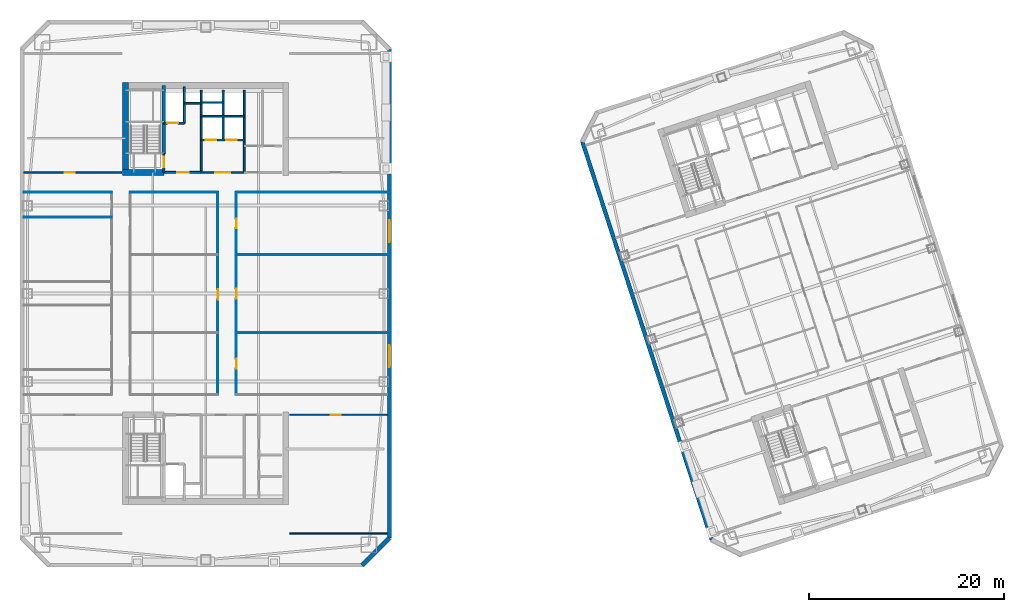
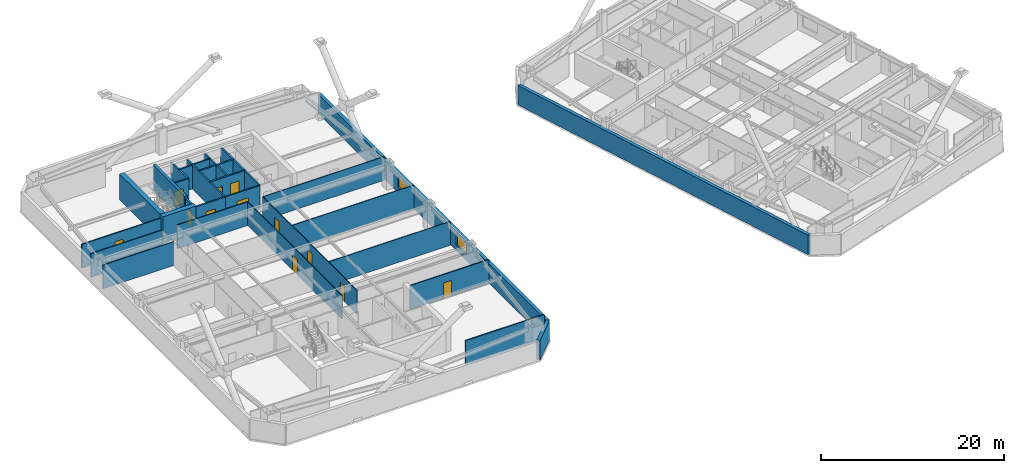
# One storey, part 7 of 14: 29 walls, 12 doors, 2 windows, 14 openings.
"""IFC4 building model written with IfcOpenShell, lengths in metres."""

from ifc_helpers import new_model, si_unit, direction, frame, frame_2d, origin, place, context, subcontext, project, spatial, rectangle, extrude, material, layer, layer_set, type_object, element, fill, save


model = new_model("IFC4")

# Units and contexts
model_context = context("Model", 3, precision=1e-05, world=origin(), true_north=direction((0.0, 1.0)))
body_context = subcontext(model_context, "Body", "Model", "MODEL_VIEW")
ifc_project = project(units=[si_unit("LENGTHUNIT", "METRE"), si_unit("AREAUNIT", "SQUARE_METRE"), si_unit("VOLUMEUNIT", "CUBIC_METRE"), si_unit("PLANEANGLEUNIT", "RADIAN"), si_unit("MASSUNIT", "GRAM", prefix="KILO")], contexts=[model_context])

# Site, building, storey
site_placement = place(None, origin())
site = spatial("IfcSite", under=ifc_project, at=site_placement, CompositionType="ELEMENT")
building_placement = place(site_placement, origin())
building = spatial("IfcBuilding", under=site, at=building_placement, Name="Qiaolan Cultural Towers", CompositionType="ELEMENT")
storey_placement = place(building_placement, frame((0.0, 0.0, 149.5)))
storey = spatial("IfcBuildingStorey", under=building, at=storey_placement, Name="L39", CompositionType="ELEMENT", Elevation=149.5)

# Walls
ifc_material_1 = material(Name="Concrete C50", Category="concrete")
ifc_layer_1 = layer(ifc_material_1, 0.35009765625)
ifc_layer_set_1 = layer_set([ifc_layer_1], Name="Concrete C50")
wall_type_1 = type_object("IfcWallType", Name="WL-CORE-350", PredefinedType="SHEAR", material=ifc_layer_set_1)
wall_1_placement = place(storey_placement, frame((25.719970703125, 48.300048828125, 0.0), z_axis=(0.0, 0.0, 1.0), x_axis=(0.0, 1.0, 0.0)))
element("IfcWall", 1, at=wall_1_placement, inside=storey, type_object=wall_type_1, Name="L39 T1-CN Stair Core Dividing Web", PredefinedType="SHEAR", context=body_context, shape_type="SweptSolid", body=[
    extrude(rectangle(XDim=6.97998046875, YDim=0.35009765625, at=frame_2d((3.489990234375, 0.0))), origin(), (0.0, 0.0, 1.0), 3.449951171875),
])
ifc_material_2 = material(Name="Concrete C55", Category="concrete")
ifc_layer_2 = layer(ifc_material_2, 0.60009765625)
ifc_layer_set_2 = layer_set([ifc_layer_2], Name="Concrete C55")
wall_type_2 = type_object("IfcWallType", Name="WL-CORE-600", PredefinedType="SHEAR", material=ifc_layer_set_2)
wall_2_placement = place(storey_placement, frame((21.800048828125, 46.10009765625, 0.0), z_axis=(0.0, 0.0, 1.0), x_axis=(0.0, 1.0, 0.0)))
element("IfcWall", 2, at=wall_2_placement, inside=storey, type_object=wall_type_2, Name="L39 T1-CN West Core Shear Wall", PredefinedType="SHEAR", context=body_context, shape_type="SweptSolid", body=[
    extrude(rectangle(XDim=9.47998046875, YDim=0.60009765625, at=frame_2d((4.739990234375, 0.0))), origin(), (0.0, 0.0, 1.0), 3.449951171875),
])
wall_3_placement = place(storey_placement, frame((21.5, 46.39990234375, 0.0), z_axis=(0.0, 0.0, 1.0), x_axis=(1.0, 0.0, 0.0)))
element("IfcWall", 3, at=wall_3_placement, inside=storey, type_object=wall_type_2, Name="L39 T1-CN Stair Front Shear Wall", PredefinedType="SHEAR", context=body_context, shape_type="SweptSolid", body=[
    extrude(rectangle(XDim=4.219970703125, YDim=0.60009765625, at=frame_2d((2.10986328125, 0.0))), origin(), (0.0, 0.0, 1.0), 3.449951171875),
])

# Wall, openings, windows
ifc_material_3 = material(Name="Precast Concrete C50 Honed Stone Pier", Category="masonry")
ifc_layer_3 = layer(ifc_material_3, 0.39990234375)
ifc_layer_set_3 = layer_set([ifc_layer_3], Name="Precast Concrete C50 Honed Stone Pier")
wall_type_3 = type_object("IfcWallType", Name="WL-EXT-PIER-400", PredefinedType="SOLIDWALL", material=ifc_layer_set_3)
wall_4_placement = place(storey_placement, frame((48.800048828125, 59.0, 0.0), z_axis=(0.0, 0.0, 1.0), x_axis=(0.0, -1.0, 0.0)))
wall_4 = element("IfcWall", 4, at=wall_4_placement, inside=storey, type_object=wall_type_3, Name="L39 West Tower Precast Pier Facade Wall F5", PredefinedType="SOLIDWALL", context=body_context, shape_type="SweptSolid", body=[
    extrude(rectangle(XDim=50.0, YDim=0.39990234375, at=frame_2d((25.0, 0.0))), origin(), (0.0, 0.0, 1.0), 2.610107421875),
])
opening_1_placement = place(wall_4_placement, frame((30.27490234375, 0.0, 0.75)))
opening_1 = element("IfcOpeningElement", 5, at=opening_1_placement, cuts=wall_4, Name="Opening W-03", PredefinedType="OPENING", context=body_context, shape_type="SweptSolid", body=[
    extrude(rectangle(XDim=2.25, YDim=1.4599609375, at=frame_2d((1.125, 0.72998046875))), frame((0.0, 0.2099609375, 0.0), z_axis=(0.0, -1.0, 0.0), x_axis=(1.0, 0.0, 0.0)), (0.0, 0.0, 1.0), 0.419921875),
])
opening_2_placement = place(wall_4_placement, frame((17.47509765625, 0.0, 0.75)))
opening_2 = element("IfcOpeningElement", 6, at=opening_2_placement, cuts=wall_4, Name="Opening W-03", PredefinedType="OPENING", context=body_context, shape_type="SweptSolid", body=[
    extrude(rectangle(XDim=2.25, YDim=1.4599609375, at=frame_2d((1.125, 0.72998046875))), frame((0.0, 0.2099609375, 0.0), z_axis=(0.0, -1.0, 0.0), x_axis=(1.0, 0.0, 0.0)), (0.0, 0.0, 1.0), 0.419921875),
])
ifc_material_4 = material(Name="Thermally Broken Aluminium Triple Low-E Glazing", Category="aluminium")
window_type = type_object("IfcWindowType", Name="WN-CHIC-2250", PartitioningType="SINGLE_PANEL", PredefinedType="WINDOW", material=ifc_material_4)
window_1_placement = place(opening_1_placement, origin())
window_1 = element("IfcWindow", 7, at=window_1_placement, inside=storey, type_object=window_type, Name="L39 T1 E Chicago Bay Window 1", OverallHeight=1.4599609375, OverallWidth=2.25, PartitioningType="TRIPLE_PANEL_VERTICAL", PredefinedType="WINDOW", context=body_context, shape_type="SweptSolid", body=[
    extrude(rectangle(XDim=2.25, YDim=1.4599609375, at=frame_2d((1.125, 0.72998046875))), frame((0.0, 0.030029296875, 0.0), z_axis=(0.0, -1.0, 0.0), x_axis=(1.0, 0.0, 0.0)), (0.0, 0.0, 1.0), 0.06005859375),
])
fill(opening_1, window_1)
window_2_placement = place(opening_2_placement, origin())
window_2 = element("IfcWindow", 8, at=window_2_placement, inside=storey, type_object=window_type, Name="L39 T1 E Chicago Bay Window 2", OverallHeight=1.4599609375, OverallWidth=2.25, PartitioningType="TRIPLE_PANEL_VERTICAL", PredefinedType="WINDOW", context=body_context, shape_type="SweptSolid", body=[
    extrude(rectangle(XDim=2.25, YDim=1.4599609375, at=frame_2d((1.125, 0.72998046875))), frame((0.0, 0.030029296875, 0.0), z_axis=(0.0, -1.0, 0.0), x_axis=(1.0, 0.0, 0.0)), (0.0, 0.0, 1.0), 0.06005859375),
])
fill(opening_2, window_2)

# Walls
wall_5_placement = place(storey_placement, frame((48.800048828125, 9.0, 0.0), z_axis=(0.0, 0.0, 1.0), x_axis=(-0.707106781187, -0.707106781187, 0.0)))
element("IfcWall", 9, at=wall_5_placement, inside=storey, type_object=wall_type_3, Name="L39 West Tower Precast Pier Facade Wall F6", PredefinedType="SOLIDWALL", context=body_context, shape_type="SweptSolid", body=[
    extrude(rectangle(XDim=3.9599609375, YDim=0.39990234375, at=frame_2d((1.97998046875, 0.0))), origin(), (0.0, 0.0, 1.0), 2.610107421875),
])
wall_6_placement = place(storey_placement, frame((81.7763671875, 8.82666015625, 0.0), z_axis=(0.0, 0.0, 1.0), x_axis=(-0.309014228706, 0.951057414911, 0.0)))
element("IfcWall", 10, at=wall_6_placement, inside=storey, type_object=wall_type_3, Name="L39 East Tower Precast Pier Facade Wall F1", PredefinedType="SOLIDWALL", context=body_context, shape_type="SweptSolid", body=[
    extrude(rectangle(XDim=42.800048828125, YDim=0.39990234375, at=frame_2d((21.39990234375, 0.0))), origin(), (0.0, 0.0, 1.0), 2.610107421875),
])

# Wall, opening, door
ifc_material_5 = material(Name="Concrete C35 Fire Wall", Category="concrete")
ifc_layer_4 = layer(ifc_material_5, 0.199951171875)
ifc_layer_set_4 = layer_set([ifc_layer_4], Name="Concrete C35 Fire Wall")
wall_type_4 = type_object("IfcWallType", Name="WL-FIRE-200", PredefinedType="PARTITIONING", material=ifc_layer_set_4)
wall_7_placement = place(storey_placement, frame((25.719970703125, 46.39990234375, 0.0), z_axis=(0.0, 0.0, 1.0), x_axis=(0.0, 1.0, 0.0)))
wall_7 = element("IfcWall", 11, at=wall_7_placement, inside=storey, type_object=wall_type_4, Name="L39 T1-CN Smokeproof Stair Entry Wall", PredefinedType="PARTITIONING", context=body_context, shape_type="SweptSolid", body=[
    extrude(rectangle(XDim=1.900146484375, YDim=0.199951171875, at=frame_2d((0.9501953125, 0.0))), origin(), (0.0, 0.0, 1.0), 3.175048828125),
])
opening_3_placement = place(wall_7_placement, frame((0.52001953125, 0.0, 0.0)))
opening_3 = element("IfcOpeningElement", 12, at=opening_3_placement, cuts=wall_7, Name="Opening FD-04", PredefinedType="OPENING", context=body_context, shape_type="SweptSolid", body=[
    extrude(rectangle(XDim=1.10009765625, YDim=2.050048828125, at=frame_2d((0.550048828125, 1.02490234375))), frame((0.0, 0.10986328125, 0.0), z_axis=(0.0, -1.0, 0.0), x_axis=(1.0, 0.0, 0.0)), (0.0, 0.0, 1.0), 0.219970703125),
])
ifc_material_6 = material(Name="Galvanized Steel Command Fire Door", Category="steel")
door_type_1 = type_object("IfcDoorType", Name="DR-FD90-1100", OperationType="NOTDEFINED", PredefinedType="DOOR", material=ifc_material_6)
door_1_placement = place(opening_3_placement, origin())
door_1 = element("IfcDoor", 13, at=door_1_placement, inside=storey, type_object=door_type_1, Name="L39 ST-W2 Smokeproof Stair Fire Door", OperationType="SINGLE_SWING_LEFT", OverallHeight=2.050048828125, OverallWidth=1.10009765625, PredefinedType="DOOR", context=body_context, shape_type="SweptSolid", body=[
    extrude(rectangle(XDim=1.10009765625, YDim=2.050048828125, at=frame_2d((0.550048828125, 1.02490234375))), frame((0.0, 0.02490234375, 0.0), z_axis=(0.0, -1.0, 0.0), x_axis=(1.0, 0.0, 0.0)), (0.0, 0.0, 1.0), 0.050048828125),
])
fill(opening_3, door_1)

# Wall
wall_8_placement = place(storey_placement, frame((29.550048828125, 46.39990234375, 0.0), z_axis=(0.0, 0.0, 1.0), x_axis=(0.0, 1.0, 0.0)))
element("IfcWall", 14, at=wall_8_placement, inside=storey, type_object=wall_type_4, Name="L39 T1-CN Firefighting Zone Wall", PredefinedType="PARTITIONING", context=body_context, shape_type="SweptSolid", body=[
    extrude(rectangle(XDim=8.43017578125, YDim=0.199951171875, at=frame_2d((4.215087890625, 0.0))), origin(), (0.0, 0.0, 1.0), 3.175048828125),
])

# Wall, opening, door
wall_9_placement = place(storey_placement, frame((25.719970703125, 46.39990234375, 0.0), z_axis=(0.0, 0.0, 1.0), x_axis=(1.0, 0.0, 0.0)))
wall_9 = element("IfcWall", 15, at=wall_9_placement, inside=storey, type_object=wall_type_4, Name="L39 T1-CN Firefighting Lobby Front Wall", PredefinedType="PARTITIONING", context=body_context, shape_type="SweptSolid", body=[
    extrude(rectangle(XDim=3.830078125, YDim=0.199951171875, at=frame_2d((1.9150390625, 0.0))), origin(), (0.0, 0.0, 1.0), 3.175048828125),
])
opening_4_placement = place(wall_9_placement, frame((1.35009765625, 0.0, 0.0)))
opening_4 = element("IfcOpeningElement", 16, at=opening_4_placement, cuts=wall_9, Name="Opening FD-03", PredefinedType="OPENING", context=body_context, shape_type="SweptSolid", body=[
    extrude(rectangle(XDim=1.199951171875, YDim=2.050048828125, at=frame_2d((0.60009765625, 1.02490234375))), frame((0.0, 0.10986328125, 0.0), z_axis=(0.0, -1.0, 0.0), x_axis=(1.0, 0.0, 0.0)), (0.0, 0.0, 1.0), 0.219970703125),
])
ifc_material_7 = material(Name="Galvanized Steel Smokeproof Lobby Fire Door", Category="steel")
door_type_2 = type_object("IfcDoorType", Name="DR-FD90-1200", OperationType="NOTDEFINED", PredefinedType="DOOR", material=ifc_material_7)
door_2_placement = place(opening_4_placement, origin())
door_2 = element("IfcDoor", 17, at=door_2_placement, inside=storey, type_object=door_type_2, Name="L39 FFL-W2 Firefighting Lobby Fire Door", OperationType="SINGLE_SWING_LEFT", OverallHeight=2.050048828125, OverallWidth=1.199951171875, PredefinedType="DOOR", context=body_context, shape_type="SweptSolid", body=[
    extrude(rectangle(XDim=1.199951171875, YDim=2.050048828125, at=frame_2d((0.60009765625, 1.02490234375))), frame((0.0, 0.02490234375, 0.0), z_axis=(0.0, -1.0, 0.0), x_axis=(1.0, 0.0, 0.0)), (0.0, 0.0, 1.0), 0.050048828125),
])
fill(opening_4, door_2)

wall_10_placement = place(storey_placement, frame((25.719970703125, 51.449951171875, 0.0), z_axis=(0.0, 0.0, 1.0), x_axis=(1.0, 0.0, 0.0)))
wall_10 = element("IfcWall", 18, at=wall_10_placement, inside=storey, type_object=wall_type_4, Name="L39 T1-CN Firefighting Shaft Front Wall", PredefinedType="PARTITIONING", context=body_context, shape_type="SweptSolid", body=[
    extrude(rectangle(XDim=2.10009765625, YDim=0.199951171875, at=frame_2d((1.050048828125, 0.0))), origin(), (0.0, 0.0, 1.0), 3.175048828125),
])
opening_5_placement = place(wall_10_placement, frame((0.35009765625, 0.0, 0.0)))
opening_5 = element("IfcOpeningElement", 19, at=opening_5_placement, cuts=wall_10, Name="Opening LD-01", PredefinedType="OPENING", context=body_context, shape_type="SweptSolid", body=[
    extrude(rectangle(XDim=1.10009765625, YDim=2.050048828125, at=frame_2d((0.550048828125, 1.02490234375))), frame((0.0, 0.10986328125, 0.0), z_axis=(0.0, -1.0, 0.0), x_axis=(1.0, 0.0, 0.0)), (0.0, 0.0, 1.0), 0.219970703125),
])
ifc_material_8 = material(Name="Brushed Stainless Steel S30408 Centre-Parting Lift Landing Door", Category="steel")
door_type_3 = type_object("IfcDoorType", Name="DR-LIFT-1100", OperationType="NOTDEFINED", PredefinedType="DOOR", material=ifc_material_8)
door_3_placement = place(opening_5_placement, origin())
door_3 = element("IfcDoor", 20, at=door_3_placement, inside=storey, type_object=door_type_3, Name="L39 FFL-W2 Firefighting Lift Landing Door", OperationType="DOUBLE_DOOR_SLIDING", OverallHeight=2.050048828125, OverallWidth=1.10009765625, PredefinedType="DOOR", context=body_context, shape_type="SweptSolid", body=[
    extrude(rectangle(XDim=1.10009765625, YDim=2.050048828125, at=frame_2d((0.550048828125, 1.02490234375))), frame((0.0, 0.02490234375, 0.0), z_axis=(0.0, -1.0, 0.0), x_axis=(1.0, 0.0, 0.0)), (0.0, 0.0, 1.0), 0.050048828125),
])
fill(opening_5, door_3)

# Walls
wall_11_placement = place(storey_placement, frame((27.820068359375, 51.449951171875, 0.0), z_axis=(0.0, 0.0, 1.0), x_axis=(0.0, 1.0, 0.0)))
element("IfcWall", 21, at=wall_11_placement, inside=storey, type_object=wall_type_4, Name="L39 T1-CN Firefighting Hoistway East Wall", PredefinedType="PARTITIONING", context=body_context, shape_type="SweptSolid", body=[
    extrude(rectangle(XDim=3.699951171875, YDim=0.199951171875, at=frame_2d((1.85009765625, 0.0))), origin(), (0.0, 0.0, 1.0), 3.175048828125),
])
wall_12_placement = place(storey_placement, frame((27.820068359375, 53.47998046875, 0.0), z_axis=(0.0, 0.0, 1.0), x_axis=(1.0, 0.0, 0.0)))
element("IfcWall", 22, at=wall_12_placement, inside=storey, type_object=wall_type_4, Name="L39 T1-CN Pressurization Shaft Front Wall", PredefinedType="PARTITIONING", context=body_context, shape_type="SweptSolid", body=[
    extrude(rectangle(XDim=1.72998046875, YDim=0.199951171875, at=frame_2d((0.864990234375, 0.0))), origin(), (0.0, 0.0, 1.0), 3.175048828125),
])
wall_13_placement = place(storey_placement, frame((33.949951171875, 46.39990234375, 0.0), z_axis=(0.0, 0.0, 1.0), x_axis=(0.0, 1.0, 0.0)))
element("IfcWall", 23, at=wall_13_placement, inside=storey, type_object=wall_type_4, Name="L39 T1-CN Lift Core East Wall", PredefinedType="PARTITIONING", context=body_context, shape_type="SweptSolid", body=[
    extrude(rectangle(XDim=8.43017578125, YDim=0.199951171875, at=frame_2d((4.215087890625, 0.0))), origin(), (0.0, 0.0, 1.0), 3.175048828125),
])

# Wall, openings, doors
wall_14_placement = place(storey_placement, frame((29.550048828125, 49.719970703125, 0.0), z_axis=(0.0, 0.0, 1.0), x_axis=(1.0, 0.0, 0.0)))
wall_14 = element("IfcWall", 24, at=wall_14_placement, inside=storey, type_object=wall_type_4, Name="L39 T1-CN Passenger Lift Shaft Front Wall", PredefinedType="PARTITIONING", context=body_context, shape_type="SweptSolid", body=[
    extrude(rectangle(XDim=4.39990234375, YDim=0.199951171875, at=frame_2d((2.199951171875, 0.0))), origin(), (0.0, 0.0, 1.0), 3.175048828125),
])
opening_6_placement = place(wall_14_placement, frame((0.449951171875, 0.0, 0.0)))
opening_6 = element("IfcOpeningElement", 25, at=opening_6_placement, cuts=wall_14, Name="Opening LD-01", PredefinedType="OPENING", context=body_context, shape_type="SweptSolid", body=[
    extrude(rectangle(XDim=1.10009765625, YDim=2.050048828125, at=frame_2d((0.550048828125, 1.02490234375))), frame((0.0, 0.10986328125, 0.0), z_axis=(0.0, -1.0, 0.0), x_axis=(1.0, 0.0, 0.0)), (0.0, 0.0, 1.0), 0.219970703125),
])
opening_7_placement = place(wall_14_placement, frame((2.550048828125, 0.0, 0.0)))
opening_7 = element("IfcOpeningElement", 26, at=opening_7_placement, cuts=wall_14, Name="Opening LD-01", PredefinedType="OPENING", context=body_context, shape_type="SweptSolid", body=[
    extrude(rectangle(XDim=1.10009765625, YDim=2.050048828125, at=frame_2d((0.550048828125, 1.02490234375))), frame((0.0, 0.10986328125, 0.0), z_axis=(0.0, -1.0, 0.0), x_axis=(1.0, 0.0, 0.0)), (0.0, 0.0, 1.0), 0.219970703125),
])
door_4_placement = place(opening_6_placement, origin())
door_4 = element("IfcDoor", 27, at=door_4_placement, inside=storey, type_object=door_type_3, Name="L39 Passenger Lift 1 Landing Door", OperationType="DOUBLE_DOOR_SLIDING", OverallHeight=2.050048828125, OverallWidth=1.10009765625, PredefinedType="DOOR", context=body_context, shape_type="SweptSolid", body=[
    extrude(rectangle(XDim=1.10009765625, YDim=2.050048828125, at=frame_2d((0.550048828125, 1.02490234375))), frame((0.0, 0.02490234375, 0.0), z_axis=(0.0, -1.0, 0.0), x_axis=(1.0, 0.0, 0.0)), (0.0, 0.0, 1.0), 0.050048828125),
])
fill(opening_6, door_4)
door_5_placement = place(opening_7_placement, origin())
door_5 = element("IfcDoor", 28, at=door_5_placement, inside=storey, type_object=door_type_3, Name="L39 Passenger Lift 2 Landing Door", OperationType="DOUBLE_DOOR_SLIDING", OverallHeight=2.050048828125, OverallWidth=1.10009765625, PredefinedType="DOOR", context=body_context, shape_type="SweptSolid", body=[
    extrude(rectangle(XDim=1.10009765625, YDim=2.050048828125, at=frame_2d((0.550048828125, 1.02490234375))), frame((0.0, 0.02490234375, 0.0), z_axis=(0.0, -1.0, 0.0), x_axis=(1.0, 0.0, 0.0)), (0.0, 0.0, 1.0), 0.050048828125),
])
fill(opening_7, door_5)

# Walls
wall_15_placement = place(storey_placement, frame((31.780029296875, 49.719970703125, 0.0), z_axis=(0.0, 0.0, 1.0), x_axis=(0.0, 1.0, 0.0)))
element("IfcWall", 29, at=wall_15_placement, inside=storey, type_object=wall_type_4, Name="L39 T1-CN Lift Shaft Divider Wall", PredefinedType="PARTITIONING", context=body_context, shape_type="SweptSolid", body=[
    extrude(rectangle(XDim=5.110107421875, YDim=0.199951171875, at=frame_2d((2.55517578125, 0.0))), origin(), (0.0, 0.0, 1.0), 3.175048828125),
])
wall_16_placement = place(storey_placement, frame((29.550048828125, 52.14990234375, 0.0), z_axis=(0.0, 0.0, 1.0), x_axis=(1.0, 0.0, 0.0)))
element("IfcWall", 30, at=wall_16_placement, inside=storey, type_object=wall_type_4, Name="L39 T1-CN Passenger Lift Shaft Back Wall", PredefinedType="PARTITIONING", context=body_context, shape_type="SweptSolid", body=[
    extrude(rectangle(XDim=4.39990234375, YDim=0.199951171875, at=frame_2d((2.199951171875, 0.0))), origin(), (0.0, 0.0, 1.0), 3.175048828125),
])
ifc_material_9 = material(Name="Acoustic Double-Glazed Partition Frame", Category="glass")
ifc_layer_5 = layer(ifc_material_9, 0.10009765625)
ifc_layer_set_5 = layer_set([ifc_layer_5], Name="Acoustic Double-Glazed Partition Frame")
wall_type_5 = type_object("IfcWallType", Name="WL-GLAZED-100", PredefinedType="MOVABLE", material=ifc_layer_set_5)
wall_17_placement = place(storey_placement, frame((11.39990234375, 44.35009765625, 0.0), z_axis=(0.0, 0.0, 1.0), x_axis=(1.0, 0.0, 0.0)))
element("IfcWall", 31, at=wall_17_placement, inside=storey, type_object=wall_type_5, Name="L39 T1 Interior Wall", PredefinedType="MOVABLE", context=body_context, shape_type="SweptSolid", body=[
    extrude(rectangle(XDim=9.0, YDim=0.10009765625, at=frame_2d((4.5, 0.0))), origin(), (0.0, 0.0, 1.0), 3.175048828125),
])
wall_18_placement = place(storey_placement, frame((22.300048828125, 44.35009765625, 0.0), z_axis=(0.0, 0.0, 1.0), x_axis=(1.0, 0.0, 0.0)))
element("IfcWall", 32, at=wall_18_placement, inside=storey, type_object=wall_type_5, Name="L39 T1 Interior Wall", PredefinedType="MOVABLE", context=body_context, shape_type="SweptSolid", body=[
    extrude(rectangle(XDim=8.949951171875, YDim=0.10009765625, at=frame_2d((4.47509765625, 0.0))), origin(), (0.0, 0.0, 1.0), 3.175048828125),
])
wall_19_placement = place(storey_placement, frame((33.14990234375, 44.35009765625, 0.0), z_axis=(0.0, 0.0, 1.0), x_axis=(1.0, 0.0, 0.0)))
element("IfcWall", 33, at=wall_19_placement, inside=storey, type_object=wall_type_5, Name="L39 T1 Interior Wall", PredefinedType="MOVABLE", context=body_context, shape_type="SweptSolid", body=[
    extrude(rectangle(XDim=15.4501953125, YDim=0.10009765625, at=frame_2d((7.72509765625, 0.0))), origin(), (0.0, 0.0, 1.0), 3.175048828125),
])

# Wall, opening, door
wall_20_placement = place(storey_placement, frame((31.25, 23.64990234375, 0.0), z_axis=(0.0, 0.0, 1.0), x_axis=(0.0, 1.0, 0.0)))
wall_20 = element("IfcWall", 34, at=wall_20_placement, inside=storey, type_object=wall_type_5, Name="L39 T1 Interior Wall", PredefinedType="MOVABLE", context=body_context, shape_type="SweptSolid", body=[
    extrude(rectangle(XDim=20.7001953125, YDim=0.10009765625, at=frame_2d((10.35009765625, 0.0))), origin(), (0.0, 0.0, 1.0), 3.175048828125),
])
opening_8_placement = place(wall_20_placement, frame((9.7099609375, 0.0, 0.0)))
opening_8 = element("IfcOpeningElement", 35, at=opening_8_placement, cuts=wall_20, Name="Opening ID-03", PredefinedType="OPENING", context=body_context, shape_type="SweptSolid", body=[
    extrude(rectangle(XDim=1.10009765625, YDim=2.050048828125, at=frame_2d((0.550048828125, 1.02490234375))), frame((0.0, 0.06005859375, 0.0), z_axis=(0.0, -1.0, 0.0), x_axis=(1.0, 0.0, 0.0)), (0.0, 0.0, 1.0), 0.1201171875),
])
ifc_material_10 = material(Name="Oak Veneer Solid-Core Boardroom Door", Category="timber")
door_type_4 = type_object("IfcDoorType", Name="DR-INT-1100", OperationType="NOTDEFINED", PredefinedType="DOOR", material=ifc_material_10)
door_6_placement = place(opening_8_placement, origin())
door_6 = element("IfcDoor", 36, at=door_6_placement, inside=storey, type_object=door_type_4, Name="L39 T1 Central Study Salon Door", OperationType="SINGLE_SWING_LEFT", OverallHeight=2.050048828125, OverallWidth=1.10009765625, PredefinedType="DOOR", context=body_context, shape_type="SweptSolid", body=[
    extrude(rectangle(XDim=1.10009765625, YDim=2.050048828125, at=frame_2d((0.550048828125, 1.02490234375))), frame((0.0, 0.02490234375, 0.0), z_axis=(0.0, -1.0, 0.0), x_axis=(1.0, 0.0, 0.0)), (0.0, 0.0, 1.0), 0.050048828125),
])
fill(opening_8, door_6)

# Wall, openings, doors
wall_21_placement = place(storey_placement, frame((33.14990234375, 23.64990234375, 0.0), z_axis=(0.0, 0.0, 1.0), x_axis=(0.0, 1.0, 0.0)))
wall_21 = element("IfcWall", 37, at=wall_21_placement, inside=storey, type_object=wall_type_5, Name="L39 T1 Interior Wall", PredefinedType="MOVABLE", context=body_context, shape_type="SweptSolid", body=[
    extrude(rectangle(XDim=20.7001953125, YDim=0.10009765625, at=frame_2d((10.35009765625, 0.0))), origin(), (0.0, 0.0, 1.0), 3.175048828125),
])
opening_9_placement = place(wall_21_placement, frame((2.66748046875, 0.0, 0.0)))
opening_9 = element("IfcOpeningElement", 38, at=opening_9_placement, cuts=wall_21, Name="Opening ID-04", PredefinedType="OPENING", context=body_context, shape_type="SweptSolid", body=[
    extrude(rectangle(XDim=1.0, YDim=2.050048828125, at=frame_2d((0.5, 1.02490234375))), frame((0.0, 0.06005859375, 0.0), z_axis=(0.0, -1.0, 0.0), x_axis=(1.0, 0.0, 0.0)), (0.0, 0.0, 1.0), 0.1201171875),
])
opening_10_placement = place(wall_21_placement, frame((9.842529296875, 0.0, 0.0)))
opening_10 = element("IfcOpeningElement", 39, at=opening_10_placement, cuts=wall_21, Name="Opening ID-04", PredefinedType="OPENING", context=body_context, shape_type="SweptSolid", body=[
    extrude(rectangle(XDim=1.0, YDim=2.050048828125, at=frame_2d((0.5, 1.02490234375))), frame((0.0, 0.06005859375, 0.0), z_axis=(0.0, -1.0, 0.0), x_axis=(1.0, 0.0, 0.0)), (0.0, 0.0, 1.0), 0.1201171875),
])
opening_11_placement = place(wall_21_placement, frame((17.02490234375, 0.0, 0.0)))
opening_11 = element("IfcOpeningElement", 40, at=opening_11_placement, cuts=wall_21, Name="Opening ID-04", PredefinedType="OPENING", context=body_context, shape_type="SweptSolid", body=[
    extrude(rectangle(XDim=1.0, YDim=2.050048828125, at=frame_2d((0.5, 1.02490234375))), frame((0.0, 0.06005859375, 0.0), z_axis=(0.0, -1.0, 0.0), x_axis=(1.0, 0.0, 0.0)), (0.0, 0.0, 1.0), 0.1201171875),
])
ifc_material_11 = material(Name="Oak Veneer Acoustic Office Door", Category="timber")
door_type_5 = type_object("IfcDoorType", Name="DR-INT-1000", OperationType="NOTDEFINED", PredefinedType="DOOR", material=ifc_material_11)
door_7_placement = place(opening_9_placement, origin())
door_7 = element("IfcDoor", 41, at=door_7_placement, inside=storey, type_object=door_type_5, Name="L39 T1 Urban Exhibition Hall Door", OperationType="SINGLE_SWING_RIGHT", OverallHeight=2.050048828125, OverallWidth=1.0, PredefinedType="DOOR", context=body_context, shape_type="SweptSolid", body=[
    extrude(rectangle(XDim=1.0, YDim=2.050048828125, at=frame_2d((0.5, 1.02490234375))), frame((0.0, 0.02490234375, 0.0), z_axis=(0.0, -1.0, 0.0), x_axis=(1.0, 0.0, 0.0)), (0.0, 0.0, 1.0), 0.050048828125),
])
fill(opening_9, door_7)
door_8_placement = place(opening_10_placement, origin())
door_8 = element("IfcDoor", 42, at=door_8_placement, inside=storey, type_object=door_type_5, Name="L39 T1 Urban Exhibition Hall Door", OperationType="SINGLE_SWING_LEFT", OverallHeight=2.050048828125, OverallWidth=1.0, PredefinedType="DOOR", context=body_context, shape_type="SweptSolid", body=[
    extrude(rectangle(XDim=1.0, YDim=2.050048828125, at=frame_2d((0.5, 1.02490234375))), frame((0.0, 0.02490234375, 0.0), z_axis=(0.0, -1.0, 0.0), x_axis=(1.0, 0.0, 0.0)), (0.0, 0.0, 1.0), 0.050048828125),
])
fill(opening_10, door_8)
door_9_placement = place(opening_11_placement, origin())
door_9 = element("IfcDoor", 43, at=door_9_placement, inside=storey, type_object=door_type_5, Name="L39 T1 Print & Book Counter Door", OperationType="SINGLE_SWING_RIGHT", OverallHeight=2.050048828125, OverallWidth=1.0, PredefinedType="DOOR", context=body_context, shape_type="SweptSolid", body=[
    extrude(rectangle(XDim=1.0, YDim=2.050048828125, at=frame_2d((0.5, 1.02490234375))), frame((0.0, 0.02490234375, 0.0), z_axis=(0.0, -1.0, 0.0), x_axis=(1.0, 0.0, 0.0)), (0.0, 0.0, 1.0), 0.050048828125),
])
fill(opening_11, door_9)

# Walls
wall_22_placement = place(storey_placement, frame((11.39990234375, 41.800048828125, 0.0), z_axis=(0.0, 0.0, 1.0), x_axis=(1.0, 0.0, 0.0)))
element("IfcWall", 44, at=wall_22_placement, inside=storey, type_object=wall_type_5, Name="L39 T1 Interior Wall", PredefinedType="MOVABLE", context=body_context, shape_type="SweptSolid", body=[
    extrude(rectangle(XDim=9.0, YDim=0.10009765625, at=frame_2d((4.5, 0.0))), origin(), (0.0, 0.0, 1.0), 3.175048828125),
])
for number, where, z_axis, x_axis, name in (
    (45, (33.14990234375, 29.985107421875, 0.0), (0.0, 0.0, 1.0), (1.0, 0.0, 0.0), "L39 T1 Interior Wall"),
    (46, (33.14990234375, 38.0, 0.0), (0.0, 0.0, 1.0), (1.0, 0.0, 0.0), "L39 T1 Interior Wall"),
):
    element("IfcWall", number, at=place(storey_placement, frame(where, z_axis=z_axis, x_axis=x_axis)), inside=storey, type_object=wall_type_5, Name=name, PredefinedType="MOVABLE", context=body_context, shape_type="SweptSolid", body=[
        extrude(rectangle(XDim=15.4501953125, YDim=0.10009765625, at=frame_2d((7.72509765625, 0.0))), origin(), (0.0, 0.0, 1.0), 3.175048828125),
    ])

# Wall, opening, door
ifc_material_12 = material(Name="Autoclaved Aerated Concrete Block B06", Category="concrete")
ifc_layer_6 = layer(ifc_material_12, 0.14990234375)
ifc_layer_set_6 = layer_set([ifc_layer_6], Name="Autoclaved Aerated Concrete Block B06")
wall_type_6 = type_object("IfcWallType", Name="WL-PART-150", PredefinedType="PARTITIONING", material=ifc_layer_set_6)
wall_23_placement = place(storey_placement, frame((29.550048828125, 46.39990234375, 0.0), z_axis=(0.0, 0.0, 1.0), x_axis=(1.0, 0.0, 0.0)))
wall_23 = element("IfcWall", 47, at=wall_23_placement, inside=storey, type_object=wall_type_6, Name="L39 T1-CN Passenger Lift Lobby Front Wall", PredefinedType="PARTITIONING", context=body_context, shape_type="SweptSolid", body=[
    extrude(rectangle(XDim=4.39990234375, YDim=0.14990234375, at=frame_2d((2.199951171875, 0.0))), origin(), (0.0, 0.0, 1.0), 3.175048828125),
])
opening_12_placement = place(wall_23_placement, frame((1.449951171875, 0.0, 0.0)))
opening_12 = element("IfcOpeningElement", 48, at=opening_12_placement, cuts=wall_23, Name="Opening FD-05", PredefinedType="OPENING", context=body_context, shape_type="SweptSolid", body=[
    extrude(rectangle(XDim=1.5, YDim=2.050048828125, at=frame_2d((0.75, 1.02490234375))), frame((0.0, 0.0849609375, 0.0), z_axis=(0.0, -1.0, 0.0), x_axis=(1.0, 0.0, 0.0)), (0.0, 0.0, 1.0), 0.169921875),
])
ifc_material_13 = material(Name="Painted Steel Lift Lobby Fire Door", Category="steel")
door_type_6 = type_object("IfcDoorType", Name="DR-FD60-1500", OperationType="NOTDEFINED", PredefinedType="DOOR", material=ifc_material_13)
door_10_placement = place(opening_12_placement, origin())
door_10 = element("IfcDoor", 49, at=door_10_placement, inside=storey, type_object=door_type_6, Name="L39 Passenger Lift Lobby Entrance", OperationType="SINGLE_SWING_LEFT", OverallHeight=2.050048828125, OverallWidth=1.5, PredefinedType="DOOR", context=body_context, shape_type="SweptSolid", body=[
    extrude(rectangle(XDim=1.5, YDim=2.050048828125, at=frame_2d((0.75, 1.02490234375))), frame((0.0, 0.02490234375, 0.0), z_axis=(0.0, -1.0, 0.0), x_axis=(1.0, 0.0, 0.0)), (0.0, 0.0, 1.0), 0.050048828125),
])
fill(opening_12, door_10)

# Walls
wall_24_placement = place(storey_placement, frame((29.550048828125, 53.550048828125, 0.0), z_axis=(0.0, 0.0, 1.0), x_axis=(1.0, 0.0, 0.0)))
element("IfcWall", 50, at=wall_24_placement, inside=storey, type_object=wall_type_6, Name="L39 T1-CN Core Rear Riser Split", PredefinedType="PARTITIONING", context=body_context, shape_type="SweptSolid", body=[
    extrude(rectangle(XDim=2.22998046875, YDim=0.14990234375, at=frame_2d((1.114990234375, 0.0))), origin(), (0.0, 0.0, 1.0), 3.175048828125),
])
wall_25_placement = place(storey_placement, frame((38.60009765625, 9.449951171875, 0.0), z_axis=(0.0, 0.0, 1.0), x_axis=(1.0, 0.0, 0.0)))
element("IfcWall", 51, at=wall_25_placement, inside=storey, type_object=wall_type_6, Name="L39 T1 Flank Wall FLK-SE", PredefinedType="PARTITIONING", context=body_context, shape_type="SweptSolid", body=[
    extrude(rectangle(XDim=10.0, YDim=0.14990234375, at=frame_2d((5.0, 0.0))), origin(), (0.0, 0.0, 1.0), 3.175048828125),
])

# Wall, opening, door
wall_26_placement = place(storey_placement, frame((38.60009765625, 21.60009765625, 0.0), z_axis=(0.0, 0.0, 1.0), x_axis=(1.0, 0.0, 0.0)))
wall_26 = element("IfcWall", 52, at=wall_26_placement, inside=storey, type_object=wall_type_6, Name="L39 T1 Flank Front FLK-SE", PredefinedType="PARTITIONING", context=body_context, shape_type="SweptSolid", body=[
    extrude(rectangle(XDim=10.0, YDim=0.14990234375, at=frame_2d((5.0, 0.0))), origin(), (0.0, 0.0, 1.0), 3.175048828125),
])
opening_13_placement = place(wall_26_placement, frame((4.199951171875, 0.0, 0.0)))
opening_13 = element("IfcOpeningElement", 53, at=opening_13_placement, cuts=wall_26, Name="Opening ID-07", PredefinedType="OPENING", context=body_context, shape_type="SweptSolid", body=[
    extrude(rectangle(XDim=1.050048828125, YDim=2.050048828125, at=frame_2d((0.52490234375, 1.02490234375))), frame((0.0, 0.0849609375, 0.0), z_axis=(0.0, -1.0, 0.0), x_axis=(1.0, 0.0, 0.0)), (0.0, 0.0, 1.0), 0.169921875),
])
ifc_material_14 = material(Name="Oak Veneer Consultation Door", Category="timber")
door_type_7 = type_object("IfcDoorType", Name="DR-INT-1050", OperationType="NOTDEFINED", PredefinedType="DOOR", material=ifc_material_14)
door_11_placement = place(opening_13_placement, origin())
door_11 = element("IfcDoor", 54, at=door_11_placement, inside=storey, type_object=door_type_7, Name="L39 T1 Corner Studio Door", OperationType="SINGLE_SWING_LEFT", OverallHeight=2.050048828125, OverallWidth=1.050048828125, PredefinedType="DOOR", context=body_context, shape_type="SweptSolid", body=[
    extrude(rectangle(XDim=1.050048828125, YDim=2.050048828125, at=frame_2d((0.52490234375, 1.02490234375))), frame((0.0, 0.02490234375, 0.0), z_axis=(0.0, -1.0, 0.0), x_axis=(1.0, 0.0, 0.0)), (0.0, 0.0, 1.0), 0.050048828125),
])
fill(opening_13, door_11)

wall_27_placement = place(storey_placement, frame((11.39990234375, 46.39990234375, 0.0), z_axis=(0.0, 0.0, 1.0), x_axis=(1.0, 0.0, 0.0)))
wall_27 = element("IfcWall", 55, at=wall_27_placement, inside=storey, type_object=wall_type_6, Name="L39 T1 Flank Front FLK-NW", PredefinedType="PARTITIONING", context=body_context, shape_type="SweptSolid", body=[
    extrude(rectangle(XDim=10.0, YDim=0.14990234375, at=frame_2d((5.0, 0.0))), origin(), (0.0, 0.0, 1.0), 3.175048828125),
])
opening_14_placement = place(wall_27_placement, frame((4.199951171875, 0.0, 0.0)))
opening_14 = element("IfcOpeningElement", 56, at=opening_14_placement, cuts=wall_27, Name="Opening ID-04", PredefinedType="OPENING", context=body_context, shape_type="SweptSolid", body=[
    extrude(rectangle(XDim=1.0, YDim=2.050048828125, at=frame_2d((0.5, 1.02490234375))), frame((0.0, 0.0849609375, 0.0), z_axis=(0.0, -1.0, 0.0), x_axis=(1.0, 0.0, 0.0)), (0.0, 0.0, 1.0), 0.169921875),
])
door_12_placement = place(opening_14_placement, origin())
door_12 = element("IfcDoor", 57, at=door_12_placement, inside=storey, type_object=door_type_5, Name="L39 T1 Corner Studio Door", OperationType="SINGLE_SWING_LEFT", OverallHeight=2.050048828125, OverallWidth=1.0, PredefinedType="DOOR", context=body_context, shape_type="SweptSolid", body=[
    extrude(rectangle(XDim=1.0, YDim=2.050048828125, at=frame_2d((0.5, 1.02490234375))), frame((0.0, 0.02490234375, 0.0), z_axis=(0.0, -1.0, 0.0), x_axis=(1.0, 0.0, 0.0)), (0.0, 0.0, 1.0), 0.050048828125),
])
fill(opening_14, door_12)

save(model, "model.ifc")
